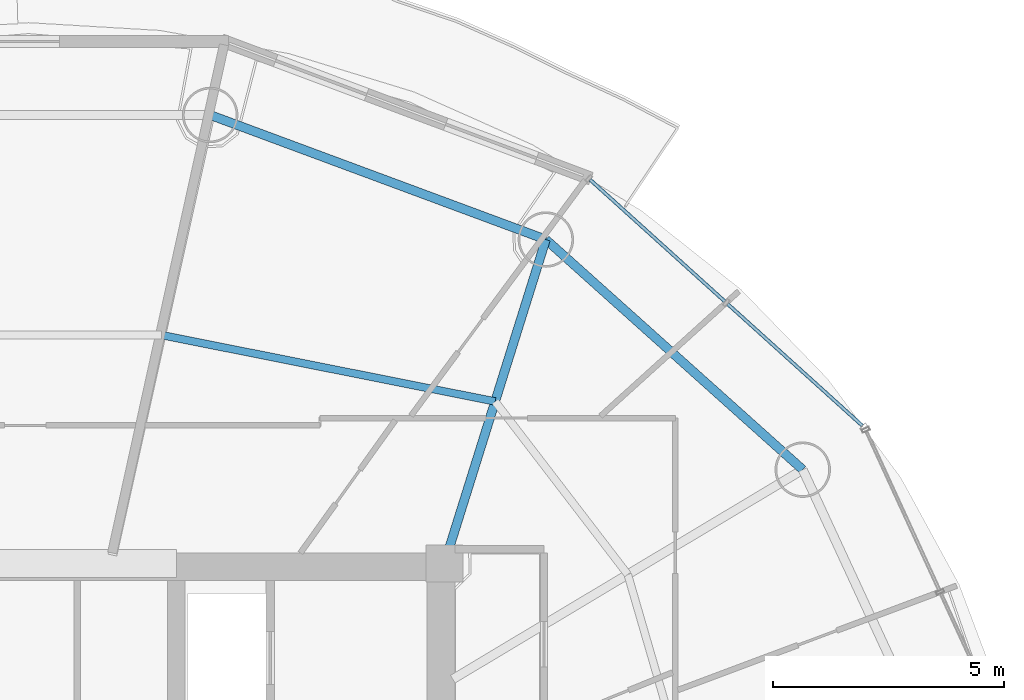
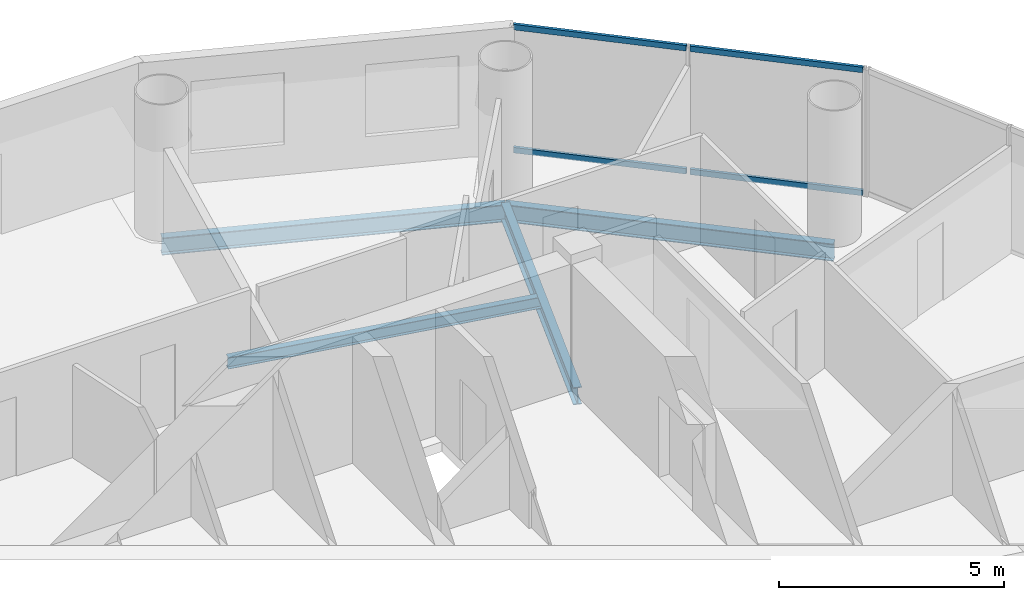
# One storey, part 17 of 26: 4 beams, 4 members, 1 element without a shape of its own.
"""IFC4 building model written with IfcOpenShell, lengths in metres."""

from ifc_helpers import new_model, si_unit, direction, frame, origin, origin_2d, place, context, subcontext, project, spatial, hollow_rectangle, i_section, extrude, source, transform, mapped, material, material_profile, profile_set, type_object, element, aggregate, save


model = new_model("IFC4")

# Units and contexts
model_context = context("Model", 3, precision=1e-05, world=origin(), true_north=direction((-0.2419218956, 0.970295726276)))
body_context = subcontext(model_context, "Body", "Model", "MODEL_VIEW")
ifc_project = project(units=[si_unit("LENGTHUNIT", "METRE"), si_unit("AREAUNIT", "SQUARE_METRE"), si_unit("VOLUMEUNIT", "CUBIC_METRE"), si_unit("PLANEANGLEUNIT", "RADIAN"), si_unit("MASSUNIT", "GRAM", prefix="KILO")], contexts=[model_context])

# Site, building, storey
site_placement = place(None, origin())
site = spatial("IfcSite", under=ifc_project, at=site_placement, CompositionType="ELEMENT")
building_placement = place(site_placement, origin())
building = spatial("IfcBuilding", under=site, at=building_placement, Name="Cobrevalo Terracotta Tower", CompositionType="ELEMENT")
storey_placement = place(building_placement, frame((0.0, 0.0, 220.800048828125)))
storey = spatial("IfcBuildingStorey", under=building, at=storey_placement, Name="L58", CompositionType="ELEMENT", Elevation=220.800048828125)

# Beams
ifc_material_1 = material(Name="Steel S355", Category="steel")
ifc_material_profile_1 = material_profile(ifc_material_1, i_section(OverallWidth=0.194091796875, OverallDepth=0.468994140625, WebThickness=0.011474609375, FlangeThickness=0.0205078125, at=origin_2d()), Name="W 460x106")
ifc_profile_set_1 = profile_set([ifc_material_profile_1], Name="Steel S355")
beam_type_1 = type_object("IfcBeamType", Name="Structural Beam W 460x106 (Steel S355)", PredefinedType="BEAM", material=ifc_profile_set_1)
beam_1_placement = place(storey_placement, frame((49.19482421875, 41.80810546875, -0.49951171875), z_axis=(-0.298871212691, -0.954293454984, 0.0), x_axis=(0.954293454984, -0.298871212691, 0.0)))
element("IfcBeam", 1, at=beam_1_placement, inside=storey, type_object=beam_type_1, Name="L58 radial floor girder 03", PredefinedType="BEAM", context=body_context, shape_type="SweptSolid", body=[
    extrude(i_section(OverallWidth=0.194091796875, OverallDepth=0.468994140625, WebThickness=0.011474609375, FlangeThickness=0.0205078125, at=origin_2d()), origin(), (0.0, 0.0, 1.0), 7.34375),
])
ifc_material_profile_2 = material_profile(ifc_material_1, i_section(OverallWidth=0.1650390625, OverallDepth=0.31005859375, WebThickness=0.005859375, FlangeThickness=0.009765625, at=origin_2d()), Name="W 310x38.7")
ifc_profile_set_2 = profile_set([ifc_material_profile_2], Name="Steel S355")
beam_type_2 = type_object("IfcBeamType", Name="Structural Joist W 310x38.7 (Steel S355)", PredefinedType="JOIST", material=ifc_profile_set_2)
beam_2_placement = place(storey_placement, frame((48.097412109375, 38.303955078125, -0.420166015625), z_axis=(-0.980762562197, 0.195204499418, 0.0), x_axis=(-0.195204499418, -0.980762562197, 0.0)))
element("IfcBeam", 2, at=beam_2_placement, inside=storey, type_object=beam_type_2, Name="L58 circumferential secondary floor joist 03", PredefinedType="JOIST", context=body_context, shape_type="SweptSolid", body=[
    extrude(i_section(OverallWidth=0.1650390625, OverallDepth=0.31005859375, WebThickness=0.005859375, FlangeThickness=0.009765625, at=origin_2d()), origin(), (0.0, 0.0, 1.0), 7.365234375),
])
ifc_material_profile_3 = material_profile(ifc_material_1, i_section(OverallWidth=0.194091796875, OverallDepth=0.468994140625, WebThickness=0.011474609375, FlangeThickness=0.0205078125, at=origin_2d()), Name="W 460x106")
ifc_profile_set_3 = profile_set([ifc_material_profile_3], Name="Steel S355")
beam_type_3 = type_object("IfcBeamType", Name="Structural Spandrel W 460x106 (Steel S355)", PredefinedType="SPANDREL", material=ifc_profile_set_3)
beam_3_placement = place(storey_placement, frame((54.754150390625, 36.828125, -0.49951171875), z_axis=(-0.744851930997, 0.667229796165, 0.0), x_axis=(-0.667229796165, -0.744851930997, 0.0)))
element("IfcBeam", 3, at=beam_3_placement, inside=storey, type_object=beam_type_3, Name="L58 perimeter ring spandrel 02", PredefinedType="SPANDREL", context=body_context, shape_type="SweptSolid", body=[
    extrude(i_section(OverallWidth=0.194091796875, OverallDepth=0.468994140625, WebThickness=0.011474609375, FlangeThickness=0.0205078125, at=origin_2d()), origin(), (0.0, 0.0, 1.0), 7.463623046875),
])
beam_4_placement = place(storey_placement, frame((49.19482421875, 41.80810546875, -0.49951171875), z_axis=(-0.937545996665, 0.347861328892, 0.0), x_axis=(-0.347861328892, -0.937545996665, 0.0)))
element("IfcBeam", 4, at=beam_4_placement, inside=storey, type_object=beam_type_3, Name="L58 perimeter ring spandrel 03", PredefinedType="SPANDREL", context=body_context, shape_type="SweptSolid", body=[
    extrude(i_section(OverallWidth=0.194091796875, OverallDepth=0.468994140625, WebThickness=0.011474609375, FlangeThickness=0.0205078125, at=origin_2d()), origin(), (0.0, 0.0, 1.0), 7.74755859375),
])

# Curtain wall, members
ifc_material_2 = material(Name="Anodized aluminium", Category="aluminium")
curtain_wall_type = type_object("IfcCurtainWallType", Name="Mid-tower high-wind unitised curtain wall CW-U2", PredefinedType="NOTDEFINED", material=ifc_material_2)
curtain_wall_placement = place(storey_placement, origin())
curtain_wall = element("IfcCurtainWall", 5, at=curtain_wall_placement, inside=storey, type_object=curtain_wall_type, Name="L58 curtain wall CW-L58-S02", PredefinedType="NOTDEFINED")
ifc_material_profile_4 = material_profile(ifc_material_2, hollow_rectangle(XDim=0.074951171875, YDim=0.14990234375, WallThickness=0.00439453125, at=origin_2d()), Name="CWT 75x150")
ifc_profile_set_4 = profile_set([ifc_material_profile_4], Name="Anodized aluminium")
member_type = type_object("IfcMemberType", Name="Tower unitised aluminium transom 75x150", PredefinedType="USERDEFINED", material=ifc_profile_set_4)
shared_shape_1 = source(origin(), body_context, "Body", "SweptSolid", [
    extrude(hollow_rectangle(XDim=0.074951171875, YDim=0.14990234375, WallThickness=0.00439453125, at=origin_2d()), origin(), (0.0, 0.0, 1.0), 3.927490234375),
])
member_1_placement = place(storey_placement, frame((56.041748046875, 37.78173828125, 0.050048828125), z_axis=(-0.741975952623, 0.670426495396, 0.0), x_axis=(-0.670426495396, -0.741975952623, 0.0)))
member_1 = element("IfcMember", 6, at=member_1_placement, type_object=member_type, Name="CW-L58-S02 transom B01-T1", ObjectType="TRANSOM", PredefinedType="USERDEFINED", context=body_context, shape_type="MappedRepresentation", body=[
    mapped(shared_shape_1, transform((0.0, 0.0, 0.0), scale=1.0)),
])
member_2_placement = place(storey_placement, frame((56.041748046875, 37.78173828125, 3.385009765625), z_axis=(-0.741975952623, 0.670426495396, 0.0), x_axis=(-0.670426495396, -0.741975952623, 0.0)))
member_2 = element("IfcMember", 7, at=member_2_placement, type_object=member_type, Name="CW-L58-S02 transom B01-T2", ObjectType="TRANSOM", PredefinedType="USERDEFINED", context=body_context, shape_type="MappedRepresentation", body=[
    mapped(shared_shape_1, transform((0.0, 0.0, 0.0), scale=1.0)),
])
shared_shape_2 = source(origin(), body_context, "Body", "SweptSolid", [
    extrude(hollow_rectangle(XDim=0.074951171875, YDim=0.14990234375, WallThickness=0.00439453125, at=origin_2d()), origin(), (0.0, 0.0, 1.0), 3.927734375),
])
member_3_placement = place(storey_placement, frame((53.068359375, 40.46826171875, 0.050048828125), z_axis=(-0.742003891138, 0.670395573923, 0.0), x_axis=(-0.670395573923, -0.742003891138, 0.0)))
member_3 = element("IfcMember", 8, at=member_3_placement, type_object=member_type, Name="CW-L58-S02 transom B02-T1", ObjectType="TRANSOM", PredefinedType="USERDEFINED", context=body_context, shape_type="MappedRepresentation", body=[
    mapped(shared_shape_2, transform((0.0, 0.0, 0.0), scale=1.0)),
])
member_4_placement = place(storey_placement, frame((53.068359375, 40.46826171875, 3.385009765625), z_axis=(-0.742003891138, 0.670395573923, 0.0), x_axis=(-0.670395573923, -0.742003891138, 0.0)))
member_4 = element("IfcMember", 9, at=member_4_placement, type_object=member_type, Name="CW-L58-S02 transom B02-T2", ObjectType="TRANSOM", PredefinedType="USERDEFINED", context=body_context, shape_type="MappedRepresentation", body=[
    mapped(shared_shape_2, transform((0.0, 0.0, 0.0), scale=1.0)),
])
aggregate(curtain_wall, [member_1, member_2, member_3, member_4])

save(model, "model.ifc")
